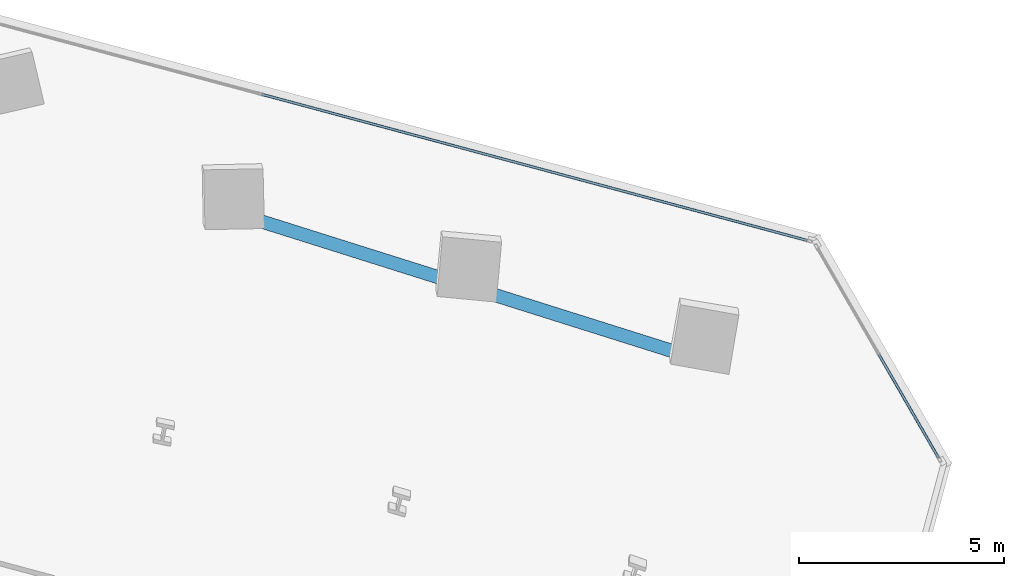
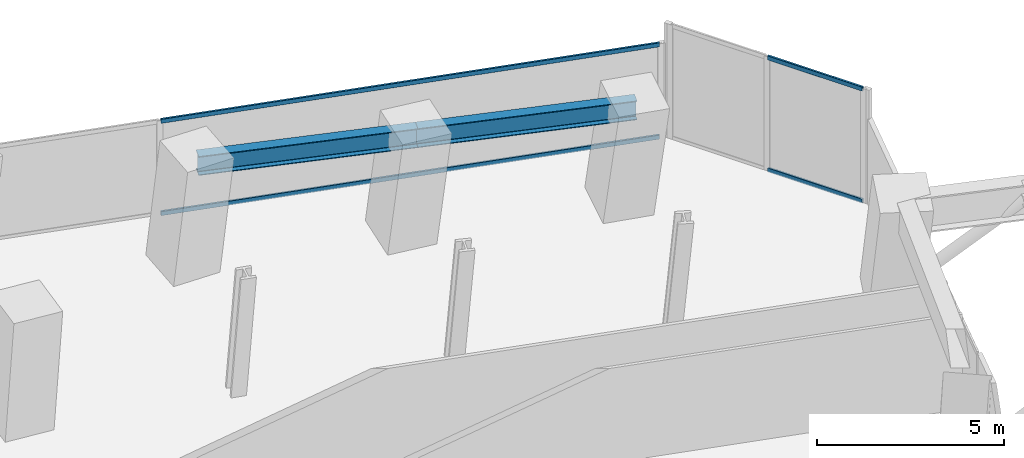
# One storey, part 12 of 27: 4 members, 2 beams, 2 elements without a shape of their own.
"""IFC4 building model written with IfcOpenShell, lengths in metres."""

import ifcopenshell
import ifcopenshell.guid

model = None  # the IFC model being written
_history = None  # IfcOwnerHistory: only IFC2X3 demands one
_inside = {}  # id of a spatial element -> (the spatial element, [elements in it])
_under = {}  # id of a project, library or spatial element -> (it, [spatial elements below it])
_declared = {}  # id of a project -> (the project, [libraries it declares])
_typed = {}  # id of a type object -> (the type object, [elements of that type])
_made_of = {}  # id of a material, layer set ... -> (it, [elements and type objects made of it])


def new_model(schema):
    """Start an empty IFC model of exactly this schema.

    Asked for "IFC4X3", IfcOpenShell would pick the latest addendum, in which some entities
    have other attributes; the version numbers below select the first issue.
    IFC2X3 requires an IfcOwnerHistory on every rooted entity: one is made here for all.
    """
    global model, _history
    if schema == "IFC4X3":
        model = ifcopenshell.file(schema_version=(4, 3, 0, 0))
    else:
        model = ifcopenshell.file(schema=schema)
    _inside.clear()
    _under.clear()
    _declared.clear()
    _typed.clear()
    _made_of.clear()
    _history = None
    if model.schema == "IFC2X3":
        org = make("IfcOrganization", Name="unknown")
        user = make(
            "IfcPersonAndOrganization",
            ThePerson=make("IfcPerson", FamilyName="unknown"),
            TheOrganization=org,
        )
        app = make(
            "IfcApplication",
            ApplicationDeveloper=org,
            Version="unknown",
            ApplicationFullName="unknown",
            ApplicationIdentifier="unknown",
        )
        _history = make(
            "IfcOwnerHistory",
            OwningUser=user,
            OwningApplication=app,
            ChangeAction="ADDED",
            CreationDate=0,
        )
    return model


def make(cls, **values):
    """One entity of the class cls with the attributes given. An attribute that is None is left unset."""
    return model.create_entity(
        cls, **{name: value for name, value in values.items() if value is not None}
    )


def rooted(cls, **values):
    """An entity with a GlobalId (a new one), such as an element, a storey or a relation."""
    return make(cls, GlobalId=ifcopenshell.guid.new(), OwnerHistory=_history, **values)


def si_unit(unit_type, name, prefix=None):
    """IfcSIUnit, for example si_unit("LENGTHUNIT", "METRE", prefix="MILLI")."""
    return make("IfcSIUnit", UnitType=unit_type, Prefix=prefix, Name=name)


def assignment(units):
    """IfcUnitAssignment: the units of a project."""
    return None if units is None else make("IfcUnitAssignment", Units=units)


def point(xyz):
    """IfcCartesianPoint."""
    return None if xyz is None else make("IfcCartesianPoint", Coordinates=xyz)


def direction(xyz):
    """IfcDirection."""
    return None if xyz is None else make("IfcDirection", DirectionRatios=xyz)


def frame(location, z_axis=None, x_axis=None):
    """IfcAxis2Placement3D, a coordinate frame: its origin and axes. An axis left out is left unset."""
    return make(
        "IfcAxis2Placement3D",
        Location=point(location),
        Axis=direction(z_axis),
        RefDirection=direction(x_axis),
    )


def frame_2d(location, x_axis=None):
    """IfcAxis2Placement2D, a coordinate frame in the plane: its origin and x axis."""
    return make(
        "IfcAxis2Placement2D", Location=point(location), RefDirection=direction(x_axis)
    )


def origin():
    """The frame at (0, 0, 0) with its axes left unset."""
    return frame((0.0, 0.0, 0.0))


def origin_2d():
    """The frame at (0, 0) in the plane with its x axis left unset."""
    return frame_2d((0.0, 0.0))


def place(relative_to, where):
    """IfcLocalPlacement: puts the frame where relative to a parent placement (None: the world)."""
    return make(
        "IfcLocalPlacement", PlacementRelTo=relative_to, RelativePlacement=where
    )


def context(
    kind, dimensions, precision=None, world=None, true_north=None, identifier=None
):
    """IfcGeometricRepresentationContext, for example the 3D "Model" context."""
    return make(
        "IfcGeometricRepresentationContext",
        ContextIdentifier=identifier,
        ContextType=kind,
        CoordinateSpaceDimension=dimensions,
        Precision=precision,
        WorldCoordinateSystem=world,
        TrueNorth=true_north,
    )


def subcontext(parent, identifier, kind, view, scale=None):
    """IfcGeometricRepresentationSubContext, for example "Body" below "Model"."""
    return make(
        "IfcGeometricRepresentationSubContext",
        ContextIdentifier=identifier,
        ContextType=kind,
        ParentContext=parent,
        TargetScale=scale,
        TargetView=view,
    )


def project(units=None, contexts=None):
    """IfcProject with its units and contexts."""
    return rooted(
        "IfcProject",
        Name="project",
        RepresentationContexts=contexts,
        UnitsInContext=assignment(units),
    )


def spatial(cls, under=None, at=None, **own):
    """A site, building, storey or space (cls), placed at a placement, below another one or the project."""
    s = rooted(cls, ObjectPlacement=at, **own)
    if under is not None:
        _under.setdefault(under.id(), (under, []))[1].append(s)
    return s


def profile(cls, at=None, kind="AREA", **sizes):
    """A parametric profile (cls). Its sizes go by their IFC names, for example OverallWidth=200.0."""
    return make(cls, ProfileType=kind, Position=at, **sizes)


def hollow_rectangle(**sizes):
    """IfcRectangleHollowProfileDef."""
    return profile("IfcRectangleHollowProfileDef", **sizes)


def i_section(**sizes):
    """IfcIShapeProfileDef."""
    return profile("IfcIShapeProfileDef", **sizes)


def extrude(swept, where, along, depth):
    """IfcExtrudedAreaSolid: the profile swept, set in the frame where, extruded along a direction by depth."""
    return make(
        "IfcExtrudedAreaSolid",
        SweptArea=swept,
        Position=where,
        ExtrudedDirection=direction(along),
        Depth=depth,
    )


def shape(context_of_items, identifier, shape_type, items):
    """IfcShapeRepresentation: the items that make up one representation, for example the "Body"."""
    return make(
        "IfcShapeRepresentation",
        ContextOfItems=context_of_items,
        RepresentationIdentifier=identifier,
        RepresentationType=shape_type,
        Items=items,
    )


def source(mapping_origin, context_of_items, identifier, shape_type, items):
    """IfcRepresentationMap: a shape defined once, which mapped items show again and again."""
    return make(
        "IfcRepresentationMap",
        MappingOrigin=mapping_origin,
        MappedRepresentation=shape(context_of_items, identifier, shape_type, items),
    )


def transform(
    local_origin,
    x_axis=None,
    y_axis=None,
    z_axis=None,
    scale=None,
    scale2=None,
    scale3=None,
    uniform=True,
):
    """IfcCartesianTransformationOperator3D, or its non-uniform kind. x_axis, y_axis, z_axis: its Axis1, 2, 3."""
    if uniform:
        return make(
            "IfcCartesianTransformationOperator3D",
            Axis1=direction(x_axis),
            Axis2=direction(y_axis),
            LocalOrigin=point(local_origin),
            Scale=scale,
            Axis3=direction(z_axis),
        )
    return make(
        "IfcCartesianTransformationOperator3DnonUniform",
        Axis1=direction(x_axis),
        Axis2=direction(y_axis),
        LocalOrigin=point(local_origin),
        Scale=scale,
        Axis3=direction(z_axis),
        Scale2=scale2,
        Scale3=scale3,
    )


def mapped(mapping_source, mapping_target):
    """IfcMappedItem: shows the shape of a source again, moved by a transform."""
    return make(
        "IfcMappedItem", MappingSource=mapping_source, MappingTarget=mapping_target
    )


def material(Name=None, Category=None):
    """IfcMaterial."""
    return make("IfcMaterial", Name=Name, Category=Category)


def material_profile(
    of_material, cross_section, Name=None, Category=None, Priority=None
):
    """IfcMaterialProfile: a cross section and its material."""
    return make(
        "IfcMaterialProfile",
        Name=Name,
        Material=of_material,
        Profile=cross_section,
        Priority=Priority,
        Category=Category,
    )


def profile_set(profiles, Name=None, composite=None):
    """IfcMaterialProfileSet."""
    return make(
        "IfcMaterialProfileSet",
        Name=Name,
        MaterialProfiles=profiles,
        CompositeProfile=composite,
    )


def made_of(thing, what):
    """Note that an element or type object is made of a material, layer set ...; save() writes the relation."""
    if what is not None:
        _made_of.setdefault(what.id(), (what, []))[1].append(thing)
    return thing


def type_object(cls, material=None, **own):
    """A type object (cls), such as IfcWallType, which elements share."""
    return made_of(rooted(cls, **own), material)


def element(
    cls,
    number,
    at=None,
    inside=None,
    cuts=None,
    type_object=None,
    material=None,
    context=None,
    identifier="Body",
    shape_type=None,
    held_by="IfcProductDefinitionShape",
    body=None,
    shapes=None,
    **own,
):
    """One element of the class cls, such as IfcWall. Its Tag is "e" and its number.

    at: its placement. inside: the storey or other place that contains it. cuts: it is an
    opening in that element (IfcRelVoidsElement). A single representation is given by context,
    identifier, shape_type and body (its items); several are given by shapes. held_by: the class
    of the entity that holds the representations. save() writes the other relations.
    """
    e = rooted(cls, Tag="e%d" % number, ObjectPlacement=at, **own)
    if body is not None:
        shapes = [shape(context, identifier, shape_type, body)]
    if shapes is not None:
        e.Representation = make(held_by, Representations=shapes)
    if inside is not None:
        _inside.setdefault(inside.id(), (inside, []))[1].append(e)
    if cuts is not None:
        rooted(
            "IfcRelVoidsElement", RelatingBuildingElement=cuts, RelatedOpeningElement=e
        )
    if type_object is not None:
        _typed.setdefault(type_object.id(), (type_object, []))[1].append(e)
    return made_of(e, material)


def aggregate(whole, parts):
    """IfcRelAggregates: a whole, such as a stair, and the parts it consists of."""
    return rooted("IfcRelAggregates", RelatingObject=whole, RelatedObjects=parts)


def save(model, path):
    """Write the relations noted so far, then the file.

    IfcRelAggregates (storeys below a building ...), IfcRelContainedInSpatialStructure (elements
    in a storey), IfcRelDefinesByType, IfcRelAssociatesMaterial and IfcRelDeclares: one each for
    every whole, place, type object, material and project.
    """
    for whole, parts in _under.values():
        aggregate(whole, parts)
    for where, things in _inside.values():
        rooted(
            "IfcRelContainedInSpatialStructure",
            RelatedElements=things,
            RelatingStructure=where,
        )
    for kind, things in _typed.values():
        rooted("IfcRelDefinesByType", RelatedObjects=things, RelatingType=kind)
    for what, things in _made_of.values():
        rooted("IfcRelAssociatesMaterial", RelatedObjects=things, RelatingMaterial=what)
    for by, libraries in _declared.values():
        rooted("IfcRelDeclares", RelatingContext=by, RelatedDefinitions=libraries)
    model.write(path)


model = new_model("IFC4")

# Units and contexts
model_context = context("Model", 3, precision=1e-05, world=origin(), true_north=direction((0.0, 1.0)))
body_context = subcontext(model_context, "Body", "Model", "MODEL_VIEW")
ifc_project = project(units=[si_unit("LENGTHUNIT", "METRE"), si_unit("AREAUNIT", "SQUARE_METRE"), si_unit("VOLUMEUNIT", "CUBIC_METRE"), si_unit("PLANEANGLEUNIT", "RADIAN"), si_unit("MASSUNIT", "GRAM", prefix="KILO")], contexts=[model_context])

# Site, building, storey
site_placement = place(None, origin())
site = spatial("IfcSite", under=ifc_project, at=site_placement, CompositionType="ELEMENT")
building_placement = place(site_placement, origin())
building = spatial("IfcBuilding", under=site, at=building_placement, Name="Torre Montelarca", CompositionType="ELEMENT")
storey_placement = place(building_placement, frame((0.0, 0.0, 108.39990234375)))
storey = spatial("IfcBuildingStorey", under=building, at=storey_placement, Name="L24", CompositionType="ELEMENT", Elevation=108.39990234375)

# Beams
ifc_material_1 = material(Name="Steel ASTM A992 Grade 50", Category="steel")
ifc_material_profile_1 = material_profile(ifc_material_1, i_section(OverallWidth=0.326904296875, OverallDepth=0.6220703125, WebThickness=0.015380859375, FlangeThickness=0.0244140625, FilletRadius=0.014892578125, at=origin_2d()), Name="W610X195", Category="steel")
ifc_profile_set_1 = profile_set([ifc_material_profile_1], Name="Steel ASTM A992 Grade 50")
beam_type = type_object("IfcBeamType", Name="BM-G-W610H", PredefinedType="BEAM", material=ifc_profile_set_1)
shared_shape_1 = source(origin(), body_context, "Body", "SweptSolid", [
    extrude(i_section(OverallWidth=0.326904296875, OverallDepth=0.6220703125, WebThickness=0.015380859375, FlangeThickness=0.0244140625, FilletRadius=0.014892578125, at=origin_2d()), origin(), (0.0, 0.0, 1.0), 6.0),
])
for number, where, z_axis, x_axis, name in (
    (1, (45.260986328125, 39.1875, 3.649169921875), (0.953720315082, -0.300695128993, 0.0), (0.300695128993, 0.953720315082, 0.0), "L24 Grid Girder X 42.0-48.0 at Y=46.0"),
    (2, (50.9833984375, 37.38330078125, 3.649169921875), (0.953720315082, -0.300695128993, 0.0), (0.300695128993, 0.953720315082, 0.0), "L24 Grid Girder X 48.0-54.0 at Y=46.0"),
):
    element("IfcBeam", number, at=place(storey_placement, frame(where, z_axis=z_axis, x_axis=x_axis)), inside=storey, type_object=beam_type, Name=name, PredefinedType="BEAM", context=body_context, shape_type="MappedRepresentation", body=[
        mapped(shared_shape_1, transform((0.0, 0.0, 0.0), scale=1.0)),
    ])

# Curtain wall, members
ifc_material_2 = material(Name="Insulated low-E laminated glass", Category="glass")
curtain_wall_type = type_object("IfcCurtainWallType", Name="CW-SYS-Z1", PredefinedType="USERDEFINED", material=ifc_material_2)
curtain_wall_1_placement = place(storey_placement, origin())
curtain_wall_1 = element("IfcCurtainWall", 3, at=curtain_wall_1_placement, inside=storey, type_object=curtain_wall_type, Name="L24 Curtain Wall Run CW-T3-L24-E07-B1", ObjectType="UNITISED GLAZING", PredefinedType="USERDEFINED")
ifc_material_3 = material(Name="Anodised aluminium AA 6063-T6", Category="aluminium")
ifc_material_profile_2 = material_profile(ifc_material_3, hollow_rectangle(XDim=0.06494140625, YDim=0.139892578125, WallThickness=0.00390625, InnerFilletRadius=0.00390625, OuterFilletRadius=0.008056640625, at=origin_2d()), Name="ALU65X140X4", Category="aluminium")
ifc_profile_set_2 = profile_set([ifc_material_profile_2], Name="Anodised aluminium AA 6063-T6")
member_type = type_object("IfcMemberType", Name="CWT-ALU140", PredefinedType="USERDEFINED", material=ifc_profile_set_2)
shared_shape_2 = source(origin(), body_context, "Body", "SweptSolid", [
    extrude(hollow_rectangle(XDim=0.06494140625, YDim=0.139892578125, WallThickness=0.00390625, InnerFilletRadius=0.00390625, OuterFilletRadius=0.008056640625, at=origin_2d()), origin(), (0.0, 0.0, 1.0), 2.91845703125),
])
member_1_placement = place(storey_placement, frame((62.357666015625, 33.23876953125, 0.03271484375), z_axis=(-0.499980718146, 0.866036535882, 0.0), x_axis=(-0.866036535882, -0.499980718146, 0.0)))
member_1 = element("IfcMember", 4, at=member_1_placement, type_object=member_type, Name="CW transom 1.1", ObjectType="TRANSOM", PredefinedType="USERDEFINED", context=body_context, shape_type="MappedRepresentation", body=[
    mapped(shared_shape_2, transform((0.0, 0.0, 0.0), scale=1.0)),
])
member_2_placement = place(storey_placement, frame((62.357666015625, 33.23876953125, 3.6875), z_axis=(-0.499980718146, 0.866036535882, 0.0), x_axis=(-0.866036535882, -0.499980718146, 0.0)))
member_2 = element("IfcMember", 5, at=member_2_placement, type_object=member_type, Name="CW transom 1.2", ObjectType="TRANSOM", PredefinedType="USERDEFINED", context=body_context, shape_type="MappedRepresentation", body=[
    mapped(shared_shape_2, transform((0.0, 0.0, 0.0), scale=1.0)),
])
aggregate(curtain_wall_1, [member_1, member_2])

curtain_wall_2_placement = place(storey_placement, origin())
curtain_wall_2 = element("IfcCurtainWall", 6, at=curtain_wall_2_placement, inside=storey, type_object=curtain_wall_type, Name="L24 Curtain Wall Run CW-T3-L24-E08-B1", ObjectType="UNITISED GLAZING", PredefinedType="USERDEFINED")
shared_shape_3 = source(origin(), body_context, "Body", "SweptSolid", [
    extrude(hollow_rectangle(XDim=0.06494140625, YDim=0.139892578125, WallThickness=0.00390625, InnerFilletRadius=0.00390625, OuterFilletRadius=0.008056640625, at=origin_2d()), origin(), (0.0, 0.0, 1.0), 13.7900390625),
])
member_3_placement = place(storey_placement, frame((59.14697265625, 38.54931640625, 0.03271484375), z_axis=(-0.965921577114, 0.258834902718, 0.0), x_axis=(-0.258834902718, -0.965921577114, 0.0)))
member_3 = element("IfcMember", 7, at=member_3_placement, type_object=member_type, Name="CW transom 1.1", ObjectType="TRANSOM", PredefinedType="USERDEFINED", context=body_context, shape_type="MappedRepresentation", body=[
    mapped(shared_shape_3, transform((0.0, 0.0, 0.0), scale=1.0)),
])
member_4_placement = place(storey_placement, frame((59.14697265625, 38.54931640625, 3.04248046875), z_axis=(-0.965921577114, 0.258834902718, 0.0), x_axis=(-0.258834902718, -0.965921577114, 0.0)))
member_4 = element("IfcMember", 8, at=member_4_placement, type_object=member_type, Name="CW transom 1.2", ObjectType="TRANSOM", PredefinedType="USERDEFINED", context=body_context, shape_type="MappedRepresentation", body=[
    mapped(shared_shape_3, transform((0.0, 0.0, 0.0), scale=1.0)),
])
aggregate(curtain_wall_2, [member_3, member_4])

save(model, "model.ifc")
